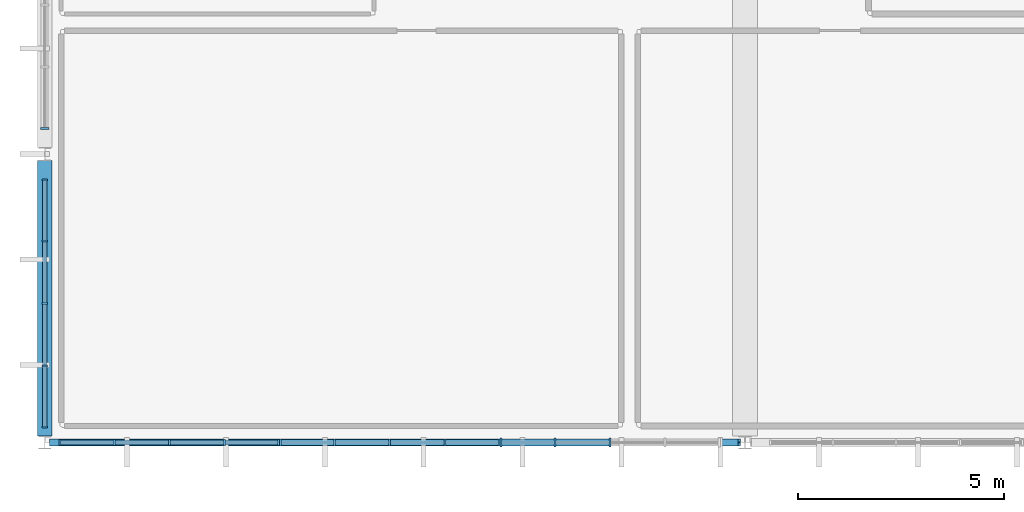
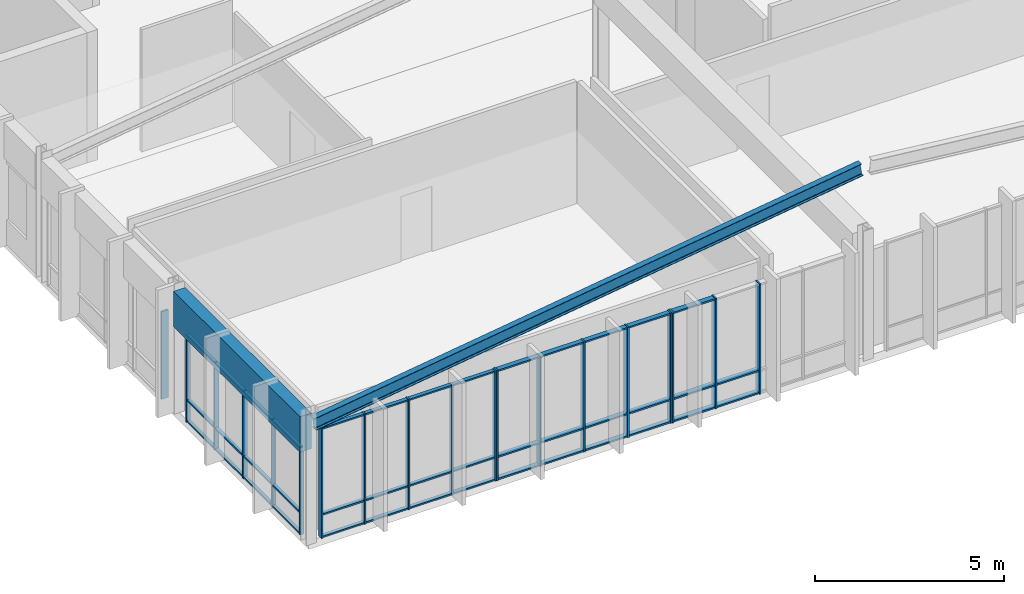
# One storey, part 4 of 16: 60 members, 2 beams, 5 elements without a shape of their own.
"""IFC4 building model written with IfcOpenShell, lengths in metres."""

from ifc_helpers import new_model, si_unit, direction, frame, origin, origin_2d, place, context, subcontext, project, spatial, rectangle, i_section, extrude, material, material_profile, profile_set, type_object, element, aggregate, save


model = new_model("IFC4")

# Units and contexts
model_context = context("Model", 3, precision=1e-05, world=origin(), true_north=direction((0.0, 1.0)))
body_context = subcontext(model_context, "Body", "Model", "MODEL_VIEW")
ifc_project = project(units=[si_unit("LENGTHUNIT", "METRE"), si_unit("AREAUNIT", "SQUARE_METRE"), si_unit("VOLUMEUNIT", "CUBIC_METRE"), si_unit("PLANEANGLEUNIT", "RADIAN"), si_unit("MASSUNIT", "GRAM", prefix="KILO")], contexts=[model_context])

# Site, building, storey
site_placement = place(None, origin())
site = spatial("IfcSite", under=ifc_project, at=site_placement, CompositionType="ELEMENT")
building_placement = place(site_placement, origin())
building = spatial("IfcBuilding", under=site, at=building_placement, Name="Larkveld Mobility Hub", CompositionType="ELEMENT")
storey_placement = place(building_placement, frame((0.0, 0.0, 22.800048828125)))
storey = spatial("IfcBuildingStorey", under=building, at=storey_placement, Name="L06", CompositionType="ELEMENT", Elevation=22.800048828125)

# Beams
ifc_material_1 = material(Name="Precast concrete C50/60", Category="concrete")
ifc_material_profile_1 = material_profile(ifc_material_1, rectangle(XDim=0.35009765625, YDim=1.14990234375, at=origin_2d()), Name="PC SP 350x1150")
ifc_profile_set_1 = profile_set([ifc_material_profile_1], Name="Precast concrete C50/60")
beam_type_1 = type_object("IfcBeamType", Name="BM-SP35115", PredefinedType="SPANDREL", material=ifc_profile_set_1)
beam_1_placement = place(storey_placement, frame((112.0, 28.159912109375, 3.405029296875), z_axis=(0.0, 1.0, 0.0), x_axis=(-1.0, 0.0, 0.0)))
element("IfcBeam", 1, at=beam_1_placement, inside=storey, type_object=beam_type_1, Name="Primary N-S Girder L06-0999", PredefinedType="SPANDREL", context=body_context, shape_type="SweptSolid", body=[
    extrude(rectangle(XDim=0.35009765625, YDim=1.14990234375, at=origin_2d()), origin(), (0.0, 0.0, 1.0), 6.68017578125),
])
ifc_material_2 = material(Name="Steel S355JR", Category="steel")
ifc_material_profile_2 = material_profile(ifc_material_2, i_section(OverallWidth=0.179931640625, OverallDepth=0.39990234375, WebThickness=0.008544921875, FlangeThickness=0.013427734375, FilletRadius=0.02099609375, at=origin_2d()), Name="IPE 400")
ifc_profile_set_2 = profile_set([ifc_material_profile_2], Name="Steel S355JR")
beam_type_2 = type_object("IfcBeamType", Name="BM-STIPE400", PredefinedType="BEAM", material=ifc_profile_set_2)
beam_2_placement = place(storey_placement, frame((112.139892578125, 28.0, 3.760009765625), z_axis=(0.990021643493, 0.0, 0.140915383885), x_axis=(0.0, 1.0, 0.0)))
element("IfcBeam", 2, at=beam_2_placement, inside=storey, type_object=beam_type_2, Name="Sports Pavilion West Rafter L06-1744", PredefinedType="BEAM", context=body_context, shape_type="SweptSolid", body=[
    extrude(i_section(OverallWidth=0.179931640625, OverallDepth=0.39990234375, WebThickness=0.008544921875, FlangeThickness=0.013427734375, FilletRadius=0.02099609375, at=origin_2d()), origin(), (0.0, 0.0, 1.0), 16.888671875),
])

# Curtain wall, members
ifc_material_3 = material(Name="Anodised aluminium 6063-T6", Category="aluminium")
curtain_wall_type_1 = type_object("IfcCurtainWallType", Name="CW-SYS-09", PredefinedType="NOTDEFINED", material=ifc_material_3)
curtain_wall_1_placement = place(storey_placement, origin())
curtain_wall_1 = element("IfcCurtainWall", 3, at=curtain_wall_1_placement, inside=storey, type_object=curtain_wall_type_1, Name="Sports Pavilion South Overlook Glazing CW-177", PredefinedType="NOTDEFINED")
ifc_material_profile_3 = material_profile(ifc_material_3, rectangle(XDim=0.050048828125, YDim=0.14990234375, at=origin_2d()), Name="ALU MULL 50x150")
ifc_profile_set_3 = profile_set([ifc_material_profile_3], Name="Anodised aluminium 6063-T6")
member_type_1 = type_object("IfcMemberType", Name="CW-MUL-01", PredefinedType="MULLION", material=ifc_profile_set_3)
member_1_placement = place(storey_placement, frame((112.375, 28.0, -0.001953125), z_axis=(0.0, 0.0, 1.0), x_axis=(1.0, 0.0, 0.0)))
member_1 = element("IfcMember", 4, at=member_1_placement, type_object=member_type_1, Name="CW09 mullion 1", PredefinedType="MULLION", context=body_context, shape_type="SweptSolid", body=[
    extrude(rectangle(XDim=0.050048828125, YDim=0.14990234375, at=origin_2d()), origin(), (0.0, 0.0, 1.0), 3.56201171875),
])
member_2_placement = place(storey_placement, frame((113.68798828125, 28.0, -0.001953125), z_axis=(0.0, 0.0, 1.0), x_axis=(1.0, 0.0, 0.0)))
member_2 = element("IfcMember", 5, at=member_2_placement, type_object=member_type_1, Name="CW09 mullion 2", PredefinedType="MULLION", context=body_context, shape_type="SweptSolid", body=[
    extrude(rectangle(XDim=0.050048828125, YDim=0.14990234375, at=origin_2d()), origin(), (0.0, 0.0, 1.0), 3.56201171875),
])
member_3_placement = place(storey_placement, frame((115.02490234375, 28.0, -0.001953125), z_axis=(0.0, 0.0, 1.0), x_axis=(1.0, 0.0, 0.0)))
member_3 = element("IfcMember", 6, at=member_3_placement, type_object=member_type_1, Name="CW09 mullion 3", PredefinedType="MULLION", context=body_context, shape_type="SweptSolid", body=[
    extrude(rectangle(XDim=0.050048828125, YDim=0.14990234375, at=origin_2d()), origin(), (0.0, 0.0, 1.0), 3.56201171875),
])
member_4_placement = place(storey_placement, frame((116.362060546875, 28.0, -0.001953125), z_axis=(0.0, 0.0, 1.0), x_axis=(1.0, 0.0, 0.0)))
member_4 = element("IfcMember", 7, at=member_4_placement, type_object=member_type_1, Name="CW09 mullion 4", PredefinedType="MULLION", context=body_context, shape_type="SweptSolid", body=[
    extrude(rectangle(XDim=0.050048828125, YDim=0.14990234375, at=origin_2d()), origin(), (0.0, 0.0, 1.0), 3.56201171875),
])
member_5_placement = place(storey_placement, frame((117.675048828125, 28.0, -0.001953125), z_axis=(0.0, 0.0, 1.0), x_axis=(1.0, 0.0, 0.0)))
member_5 = element("IfcMember", 8, at=member_5_placement, type_object=member_type_1, Name="CW09 mullion 5", PredefinedType="MULLION", context=body_context, shape_type="SweptSolid", body=[
    extrude(rectangle(XDim=0.050048828125, YDim=0.14990234375, at=origin_2d()), origin(), (0.0, 0.0, 1.0), 3.56201171875),
])

curtain_wall_type_2 = type_object("IfcCurtainWallType", Name="CW-SYS-10", PredefinedType="NOTDEFINED", material=ifc_material_3)
curtain_wall_2_placement = place(storey_placement, origin())
curtain_wall_2 = element("IfcCurtainWall", 9, at=curtain_wall_2_placement, inside=storey, type_object=curtain_wall_type_2, Name="Sports Pavilion South Overlook Glazing CW-178", PredefinedType="NOTDEFINED")
ifc_material_profile_4 = material_profile(ifc_material_3, rectangle(XDim=0.050048828125, YDim=0.179931640625, at=origin_2d()), Name="ALU MULL 50x180")
ifc_profile_set_4 = profile_set([ifc_material_profile_4], Name="Anodised aluminium 6063-T6")
member_type_2 = type_object("IfcMemberType", Name="CW-MUL-02", PredefinedType="MULLION", material=ifc_profile_set_4)
member_6_placement = place(storey_placement, frame((117.72509765625, 28.0, -0.001953125), z_axis=(0.0, 0.0, 1.0), x_axis=(1.0, 0.0, 0.0)))
member_6 = element("IfcMember", 10, at=member_6_placement, type_object=member_type_2, Name="CW10 mullion 1", PredefinedType="MULLION", context=body_context, shape_type="SweptSolid", body=[
    extrude(rectangle(XDim=0.050048828125, YDim=0.179931640625, at=origin_2d()), origin(), (0.0, 0.0, 1.0), 3.56201171875),
])
member_7_placement = place(storey_placement, frame((119.0380859375, 28.0, -0.001953125), z_axis=(0.0, 0.0, 1.0), x_axis=(1.0, 0.0, 0.0)))
member_7 = element("IfcMember", 11, at=member_7_placement, type_object=member_type_2, Name="CW10 mullion 2", PredefinedType="MULLION", context=body_context, shape_type="SweptSolid", body=[
    extrude(rectangle(XDim=0.050048828125, YDim=0.179931640625, at=origin_2d()), origin(), (0.0, 0.0, 1.0), 3.56201171875),
])
member_8_placement = place(storey_placement, frame((120.375, 28.0, -0.001953125), z_axis=(0.0, 0.0, 1.0), x_axis=(1.0, 0.0, 0.0)))
member_8 = element("IfcMember", 12, at=member_8_placement, type_object=member_type_2, Name="CW10 mullion 3", PredefinedType="MULLION", context=body_context, shape_type="SweptSolid", body=[
    extrude(rectangle(XDim=0.050048828125, YDim=0.179931640625, at=origin_2d()), origin(), (0.0, 0.0, 1.0), 3.56201171875),
])
member_9_placement = place(storey_placement, frame((121.712890625, 28.0, -0.001953125), z_axis=(0.0, 0.0, 1.0), x_axis=(1.0, 0.0, 0.0)))
member_9 = element("IfcMember", 13, at=member_9_placement, type_object=member_type_2, Name="CW10 mullion 4", PredefinedType="MULLION", context=body_context, shape_type="SweptSolid", body=[
    extrude(rectangle(XDim=0.050048828125, YDim=0.179931640625, at=origin_2d()), origin(), (0.0, 0.0, 1.0), 3.56201171875),
])
member_10_placement = place(storey_placement, frame((123.02490234375, 28.0, -0.001953125), z_axis=(0.0, 0.0, 1.0), x_axis=(1.0, 0.0, 0.0)))
member_10 = element("IfcMember", 14, at=member_10_placement, type_object=member_type_2, Name="CW10 mullion 5", PredefinedType="MULLION", context=body_context, shape_type="SweptSolid", body=[
    extrude(rectangle(XDim=0.050048828125, YDim=0.179931640625, at=origin_2d()), origin(), (0.0, 0.0, 1.0), 3.56201171875),
])

# Curtain wall, member
curtain_wall_type_3 = type_object("IfcCurtainWallType", Name="CW-SYS-03", PredefinedType="NOTDEFINED", material=ifc_material_3)
curtain_wall_3_placement = place(storey_placement, origin())
curtain_wall_3 = element("IfcCurtainWall", 15, at=curtain_wall_3_placement, inside=storey, type_object=curtain_wall_type_3, Name="EV Wing West Glazing L06 CW-171", PredefinedType="NOTDEFINED")
ifc_material_profile_5 = material_profile(ifc_material_3, rectangle(XDim=0.050048828125, YDim=0.2099609375, at=origin_2d()), Name="ALU MULL 50x210")
ifc_profile_set_5 = profile_set([ifc_material_profile_5], Name="Anodised aluminium 6063-T6")
member_type_3 = type_object("IfcMemberType", Name="CW-MUL-03", PredefinedType="MULLION", material=ifc_profile_set_5)
member_11_placement = place(storey_placement, frame((112.0, 35.625, -0.001953125), z_axis=(0.0, 0.0, 1.0), x_axis=(0.0, -1.0, 0.0)))
member_11 = element("IfcMember", 16, at=member_11_placement, type_object=member_type_3, Name="CW03 mullion 5", PredefinedType="MULLION", context=body_context, shape_type="SweptSolid", body=[
    extrude(rectangle(XDim=0.050048828125, YDim=0.2099609375, at=origin_2d()), origin(), (0.0, 0.0, 1.0), 2.831787109375),
])
aggregate(curtain_wall_3, [member_11])

# Curtain wall, members
curtain_wall_type_4 = type_object("IfcCurtainWallType", Name="CW-SYS-11", PredefinedType="NOTDEFINED", material=ifc_material_3)
curtain_wall_4_placement = place(storey_placement, origin())
curtain_wall_4 = element("IfcCurtainWall", 17, at=curtain_wall_4_placement, inside=storey, type_object=curtain_wall_type_4, Name="Sports Pavilion South Overlook Glazing CW-179", PredefinedType="NOTDEFINED")
member_12_placement = place(storey_placement, frame((123.074951171875, 28.0, -0.001953125), z_axis=(0.0, 0.0, 1.0), x_axis=(1.0, 0.0, 0.0)))
member_12 = element("IfcMember", 18, at=member_12_placement, type_object=member_type_3, Name="CW11 mullion 1", PredefinedType="MULLION", context=body_context, shape_type="SweptSolid", body=[
    extrude(rectangle(XDim=0.050048828125, YDim=0.2099609375, at=origin_2d()), origin(), (0.0, 0.0, 1.0), 3.56201171875),
])
member_13_placement = place(storey_placement, frame((124.387939453125, 28.0, -0.001953125), z_axis=(0.0, 0.0, 1.0), x_axis=(1.0, 0.0, 0.0)))
member_13 = element("IfcMember", 19, at=member_13_placement, type_object=member_type_3, Name="CW11 mullion 2", PredefinedType="MULLION", context=body_context, shape_type="SweptSolid", body=[
    extrude(rectangle(XDim=0.050048828125, YDim=0.2099609375, at=origin_2d()), origin(), (0.0, 0.0, 1.0), 3.56201171875),
])
member_14_placement = place(storey_placement, frame((125.72509765625, 28.0, -0.001953125), z_axis=(0.0, 0.0, 1.0), x_axis=(1.0, 0.0, 0.0)))
member_14 = element("IfcMember", 20, at=member_14_placement, type_object=member_type_3, Name="CW11 mullion 3", PredefinedType="MULLION", context=body_context, shape_type="SweptSolid", body=[
    extrude(rectangle(XDim=0.050048828125, YDim=0.2099609375, at=origin_2d()), origin(), (0.0, 0.0, 1.0), 3.56201171875),
])

curtain_wall_type_5 = type_object("IfcCurtainWallType", Name="CW-SYS-04", PredefinedType="NOTDEFINED", material=ifc_material_3)
curtain_wall_5_placement = place(storey_placement, origin())
curtain_wall_5 = element("IfcCurtainWall", 21, at=curtain_wall_5_placement, inside=storey, type_object=curtain_wall_type_5, Name="EV Wing West Glazing L06 CW-172", PredefinedType="NOTDEFINED")
ifc_material_profile_6 = material_profile(ifc_material_3, rectangle(XDim=0.050048828125, YDim=0.1298828125, at=origin_2d()), Name="ALU MULL 50x130")
ifc_profile_set_6 = profile_set([ifc_material_profile_6], Name="Anodised aluminium 6063-T6")
member_type_4 = type_object("IfcMemberType", Name="CW-MUL-04", PredefinedType="MULLION", material=ifc_profile_set_6)
member_15_placement = place(storey_placement, frame((112.0, 34.375, -0.001953125), z_axis=(0.0, 0.0, 1.0), x_axis=(0.0, -1.0, 0.0)))
member_15 = element("IfcMember", 22, at=member_15_placement, type_object=member_type_4, Name="CW04 mullion 1", PredefinedType="MULLION", context=body_context, shape_type="SweptSolid", body=[
    extrude(rectangle(XDim=0.050048828125, YDim=0.1298828125, at=origin_2d()), origin(), (0.0, 0.0, 1.0), 2.831787109375),
])
member_16_placement = place(storey_placement, frame((112.0, 32.886962890625, -0.001953125), z_axis=(0.0, 0.0, 1.0), x_axis=(0.0, -1.0, 0.0)))
member_16 = element("IfcMember", 23, at=member_16_placement, type_object=member_type_4, Name="CW04 mullion 2", PredefinedType="MULLION", context=body_context, shape_type="SweptSolid", body=[
    extrude(rectangle(XDim=0.050048828125, YDim=0.1298828125, at=origin_2d()), origin(), (0.0, 0.0, 1.0), 2.831787109375),
])
member_17_placement = place(storey_placement, frame((112.0, 31.375, -0.001953125), z_axis=(0.0, 0.0, 1.0), x_axis=(0.0, -1.0, 0.0)))
member_17 = element("IfcMember", 24, at=member_17_placement, type_object=member_type_4, Name="CW04 mullion 3", PredefinedType="MULLION", context=body_context, shape_type="SweptSolid", body=[
    extrude(rectangle(XDim=0.050048828125, YDim=0.1298828125, at=origin_2d()), origin(), (0.0, 0.0, 1.0), 2.831787109375),
])
member_18_placement = place(storey_placement, frame((112.0, 29.862060546875, -0.001953125), z_axis=(0.0, 0.0, 1.0), x_axis=(0.0, -1.0, 0.0)))
member_18 = element("IfcMember", 25, at=member_18_placement, type_object=member_type_4, Name="CW04 mullion 4", PredefinedType="MULLION", context=body_context, shape_type="SweptSolid", body=[
    extrude(rectangle(XDim=0.050048828125, YDim=0.1298828125, at=origin_2d()), origin(), (0.0, 0.0, 1.0), 2.831787109375),
])
member_19_placement = place(storey_placement, frame((112.0, 28.375, -0.001953125), z_axis=(0.0, 0.0, 1.0), x_axis=(0.0, -1.0, 0.0)))
member_19 = element("IfcMember", 26, at=member_19_placement, type_object=member_type_4, Name="CW04 mullion 5", PredefinedType="MULLION", context=body_context, shape_type="SweptSolid", body=[
    extrude(rectangle(XDim=0.050048828125, YDim=0.1298828125, at=origin_2d()), origin(), (0.0, 0.0, 1.0), 2.831787109375),
])

# Member
ifc_material_profile_7 = material_profile(ifc_material_3, rectangle(XDim=0.1201171875, YDim=0.050048828125, at=origin_2d()), Name="ALU TRAN 50x120")
ifc_profile_set_7 = profile_set([ifc_material_profile_7], Name="Anodised aluminium 6063-T6")
member_type_5 = type_object("IfcMemberType", Name="CW-TRN-01", PredefinedType="USERDEFINED", material=ifc_profile_set_7)
member_20_placement = place(storey_placement, frame((112.385009765625, 28.0, 0.030029296875), z_axis=(1.0, 0.0, 0.0), x_axis=(0.0, 1.0, 0.0)))
member_20 = element("IfcMember", 27, at=member_20_placement, type_object=member_type_5, Name="CW09 transom 1.1", ObjectType="TRANSOM", PredefinedType="USERDEFINED", context=body_context, shape_type="SweptSolid", body=[
    extrude(rectangle(XDim=0.1201171875, YDim=0.050048828125, at=origin_2d()), origin(), (0.0, 0.0, 1.0), 1.287109375),
])

member_21_placement = place(storey_placement, frame((112.385009765625, 28.0, 0.75), z_axis=(1.0, 0.0, 0.0), x_axis=(0.0, 1.0, 0.0)))
member_21 = element("IfcMember", 28, at=member_21_placement, type_object=member_type_5, Name="CW09 transom 1.2", ObjectType="TRANSOM", PredefinedType="USERDEFINED", context=body_context, shape_type="SweptSolid", body=[
    extrude(rectangle(XDim=0.1201171875, YDim=0.050048828125, at=origin_2d()), origin(), (0.0, 0.0, 1.0), 1.287109375),
])

member_22_placement = place(storey_placement, frame((112.385009765625, 28.0, 3.52783203125), z_axis=(1.0, 0.0, 0.0), x_axis=(0.0, 1.0, 0.0)))
member_22 = element("IfcMember", 29, at=member_22_placement, type_object=member_type_5, Name="CW09 transom 1.3", ObjectType="TRANSOM", PredefinedType="USERDEFINED", context=body_context, shape_type="SweptSolid", body=[
    extrude(rectangle(XDim=0.1201171875, YDim=0.050048828125, at=origin_2d()), origin(), (0.0, 0.0, 1.0), 1.287109375),
])

member_23_placement = place(storey_placement, frame((113.702880859375, 28.0, 0.030029296875), z_axis=(1.0, 0.0, 0.0), x_axis=(0.0, 1.0, 0.0)))
member_23 = element("IfcMember", 30, at=member_23_placement, type_object=member_type_5, Name="CW09 transom 2.1", ObjectType="TRANSOM", PredefinedType="USERDEFINED", context=body_context, shape_type="SweptSolid", body=[
    extrude(rectangle(XDim=0.1201171875, YDim=0.050048828125, at=origin_2d()), origin(), (0.0, 0.0, 1.0), 1.30712890625),
])

member_24_placement = place(storey_placement, frame((113.702880859375, 28.0, 0.75), z_axis=(1.0, 0.0, 0.0), x_axis=(0.0, 1.0, 0.0)))
member_24 = element("IfcMember", 31, at=member_24_placement, type_object=member_type_5, Name="CW09 transom 2.2", ObjectType="TRANSOM", PredefinedType="USERDEFINED", context=body_context, shape_type="SweptSolid", body=[
    extrude(rectangle(XDim=0.1201171875, YDim=0.050048828125, at=origin_2d()), origin(), (0.0, 0.0, 1.0), 1.30712890625),
])

member_25_placement = place(storey_placement, frame((113.702880859375, 28.0, 3.52783203125), z_axis=(1.0, 0.0, 0.0), x_axis=(0.0, 1.0, 0.0)))
member_25 = element("IfcMember", 32, at=member_25_placement, type_object=member_type_5, Name="CW09 transom 2.3", ObjectType="TRANSOM", PredefinedType="USERDEFINED", context=body_context, shape_type="SweptSolid", body=[
    extrude(rectangle(XDim=0.1201171875, YDim=0.050048828125, at=origin_2d()), origin(), (0.0, 0.0, 1.0), 1.30712890625),
])

member_26_placement = place(storey_placement, frame((115.0400390625, 28.0, 0.030029296875), z_axis=(1.0, 0.0, 0.0), x_axis=(0.0, 1.0, 0.0)))
member_26 = element("IfcMember", 33, at=member_26_placement, type_object=member_type_5, Name="CW09 transom 3.1", ObjectType="TRANSOM", PredefinedType="USERDEFINED", context=body_context, shape_type="SweptSolid", body=[
    extrude(rectangle(XDim=0.1201171875, YDim=0.050048828125, at=origin_2d()), origin(), (0.0, 0.0, 1.0), 1.306884765625),
])

member_27_placement = place(storey_placement, frame((115.0400390625, 28.0, 0.75), z_axis=(1.0, 0.0, 0.0), x_axis=(0.0, 1.0, 0.0)))
member_27 = element("IfcMember", 34, at=member_27_placement, type_object=member_type_5, Name="CW09 transom 3.2", ObjectType="TRANSOM", PredefinedType="USERDEFINED", context=body_context, shape_type="SweptSolid", body=[
    extrude(rectangle(XDim=0.1201171875, YDim=0.050048828125, at=origin_2d()), origin(), (0.0, 0.0, 1.0), 1.306884765625),
])

member_28_placement = place(storey_placement, frame((115.0400390625, 28.0, 3.52783203125), z_axis=(1.0, 0.0, 0.0), x_axis=(0.0, 1.0, 0.0)))
member_28 = element("IfcMember", 35, at=member_28_placement, type_object=member_type_5, Name="CW09 transom 3.3", ObjectType="TRANSOM", PredefinedType="USERDEFINED", context=body_context, shape_type="SweptSolid", body=[
    extrude(rectangle(XDim=0.1201171875, YDim=0.050048828125, at=origin_2d()), origin(), (0.0, 0.0, 1.0), 1.306884765625),
])

member_29_placement = place(storey_placement, frame((116.376953125, 28.0, 0.030029296875), z_axis=(1.0, 0.0, 0.0), x_axis=(0.0, 1.0, 0.0)))
member_29 = element("IfcMember", 36, at=member_29_placement, type_object=member_type_5, Name="CW09 transom 4.1", ObjectType="TRANSOM", PredefinedType="USERDEFINED", context=body_context, shape_type="SweptSolid", body=[
    extrude(rectangle(XDim=0.1201171875, YDim=0.050048828125, at=origin_2d()), origin(), (0.0, 0.0, 1.0), 1.2880859375),
])

member_30_placement = place(storey_placement, frame((116.376953125, 28.0, 0.75), z_axis=(1.0, 0.0, 0.0), x_axis=(0.0, 1.0, 0.0)))
member_30 = element("IfcMember", 37, at=member_30_placement, type_object=member_type_5, Name="CW09 transom 4.2", ObjectType="TRANSOM", PredefinedType="USERDEFINED", context=body_context, shape_type="SweptSolid", body=[
    extrude(rectangle(XDim=0.1201171875, YDim=0.050048828125, at=origin_2d()), origin(), (0.0, 0.0, 1.0), 1.2880859375),
])

member_31_placement = place(storey_placement, frame((116.376953125, 28.0, 3.52783203125), z_axis=(1.0, 0.0, 0.0), x_axis=(0.0, 1.0, 0.0)))
member_31 = element("IfcMember", 38, at=member_31_placement, type_object=member_type_5, Name="CW09 transom 4.3", ObjectType="TRANSOM", PredefinedType="USERDEFINED", context=body_context, shape_type="SweptSolid", body=[
    extrude(rectangle(XDim=0.1201171875, YDim=0.050048828125, at=origin_2d()), origin(), (0.0, 0.0, 1.0), 1.2880859375),
])

aggregate(curtain_wall_1, [member_1, member_2, member_3, member_4, member_5, member_20, member_21, member_22, member_23, member_24, member_25, member_26, member_27, member_28, member_29, member_30, member_31])

ifc_material_profile_8 = material_profile(ifc_material_3, rectangle(XDim=0.14990234375, YDim=0.050048828125, at=origin_2d()), Name="ALU TRAN 50x150")
ifc_profile_set_8 = profile_set([ifc_material_profile_8], Name="Anodised aluminium 6063-T6")
member_type_6 = type_object("IfcMemberType", Name="CW-TRN-02", PredefinedType="USERDEFINED", material=ifc_profile_set_8)
member_32_placement = place(storey_placement, frame((117.735107421875, 28.0, 0.030029296875), z_axis=(1.0, 0.0, 0.0), x_axis=(0.0, 1.0, 0.0)))
member_32 = element("IfcMember", 39, at=member_32_placement, type_object=member_type_6, Name="CW10 transom 1.1", ObjectType="TRANSOM", PredefinedType="USERDEFINED", context=body_context, shape_type="SweptSolid", body=[
    extrude(rectangle(XDim=0.14990234375, YDim=0.050048828125, at=origin_2d()), origin(), (0.0, 0.0, 1.0), 1.287841796875),
])

member_33_placement = place(storey_placement, frame((117.735107421875, 28.0, 0.75), z_axis=(1.0, 0.0, 0.0), x_axis=(0.0, 1.0, 0.0)))
member_33 = element("IfcMember", 40, at=member_33_placement, type_object=member_type_6, Name="CW10 transom 1.2", ObjectType="TRANSOM", PredefinedType="USERDEFINED", context=body_context, shape_type="SweptSolid", body=[
    extrude(rectangle(XDim=0.14990234375, YDim=0.050048828125, at=origin_2d()), origin(), (0.0, 0.0, 1.0), 1.287841796875),
])

member_34_placement = place(storey_placement, frame((117.735107421875, 28.0, 3.52783203125), z_axis=(1.0, 0.0, 0.0), x_axis=(0.0, 1.0, 0.0)))
member_34 = element("IfcMember", 41, at=member_34_placement, type_object=member_type_6, Name="CW10 transom 1.3", ObjectType="TRANSOM", PredefinedType="USERDEFINED", context=body_context, shape_type="SweptSolid", body=[
    extrude(rectangle(XDim=0.14990234375, YDim=0.050048828125, at=origin_2d()), origin(), (0.0, 0.0, 1.0), 1.287841796875),
])

member_35_placement = place(storey_placement, frame((119.052978515625, 28.0, 0.030029296875), z_axis=(1.0, 0.0, 0.0), x_axis=(0.0, 1.0, 0.0)))
member_35 = element("IfcMember", 42, at=member_35_placement, type_object=member_type_6, Name="CW10 transom 2.1", ObjectType="TRANSOM", PredefinedType="USERDEFINED", context=body_context, shape_type="SweptSolid", body=[
    extrude(rectangle(XDim=0.14990234375, YDim=0.050048828125, at=origin_2d()), origin(), (0.0, 0.0, 1.0), 1.30712890625),
])

member_36_placement = place(storey_placement, frame((119.052978515625, 28.0, 0.75), z_axis=(1.0, 0.0, 0.0), x_axis=(0.0, 1.0, 0.0)))
member_36 = element("IfcMember", 43, at=member_36_placement, type_object=member_type_6, Name="CW10 transom 2.2", ObjectType="TRANSOM", PredefinedType="USERDEFINED", context=body_context, shape_type="SweptSolid", body=[
    extrude(rectangle(XDim=0.14990234375, YDim=0.050048828125, at=origin_2d()), origin(), (0.0, 0.0, 1.0), 1.30712890625),
])

member_37_placement = place(storey_placement, frame((119.052978515625, 28.0, 3.52783203125), z_axis=(1.0, 0.0, 0.0), x_axis=(0.0, 1.0, 0.0)))
member_37 = element("IfcMember", 44, at=member_37_placement, type_object=member_type_6, Name="CW10 transom 2.3", ObjectType="TRANSOM", PredefinedType="USERDEFINED", context=body_context, shape_type="SweptSolid", body=[
    extrude(rectangle(XDim=0.14990234375, YDim=0.050048828125, at=origin_2d()), origin(), (0.0, 0.0, 1.0), 1.30712890625),
])

member_38_placement = place(storey_placement, frame((120.389892578125, 28.0, 0.030029296875), z_axis=(1.0, 0.0, 0.0), x_axis=(0.0, 1.0, 0.0)))
member_38 = element("IfcMember", 45, at=member_38_placement, type_object=member_type_6, Name="CW10 transom 3.1", ObjectType="TRANSOM", PredefinedType="USERDEFINED", context=body_context, shape_type="SweptSolid", body=[
    extrude(rectangle(XDim=0.14990234375, YDim=0.050048828125, at=origin_2d()), origin(), (0.0, 0.0, 1.0), 1.30810546875),
])

member_39_placement = place(storey_placement, frame((120.389892578125, 28.0, 0.75), z_axis=(1.0, 0.0, 0.0), x_axis=(0.0, 1.0, 0.0)))
member_39 = element("IfcMember", 46, at=member_39_placement, type_object=member_type_6, Name="CW10 transom 3.2", ObjectType="TRANSOM", PredefinedType="USERDEFINED", context=body_context, shape_type="SweptSolid", body=[
    extrude(rectangle(XDim=0.14990234375, YDim=0.050048828125, at=origin_2d()), origin(), (0.0, 0.0, 1.0), 1.30810546875),
])

member_40_placement = place(storey_placement, frame((120.389892578125, 28.0, 3.52783203125), z_axis=(1.0, 0.0, 0.0), x_axis=(0.0, 1.0, 0.0)))
member_40 = element("IfcMember", 47, at=member_40_placement, type_object=member_type_6, Name="CW10 transom 3.3", ObjectType="TRANSOM", PredefinedType="USERDEFINED", context=body_context, shape_type="SweptSolid", body=[
    extrude(rectangle(XDim=0.14990234375, YDim=0.050048828125, at=origin_2d()), origin(), (0.0, 0.0, 1.0), 1.30810546875),
])

member_41_placement = place(storey_placement, frame((121.72802734375, 28.0, 0.030029296875), z_axis=(1.0, 0.0, 0.0), x_axis=(0.0, 1.0, 0.0)))
member_41 = element("IfcMember", 48, at=member_41_placement, type_object=member_type_6, Name="CW10 transom 4.1", ObjectType="TRANSOM", PredefinedType="USERDEFINED", context=body_context, shape_type="SweptSolid", body=[
    extrude(rectangle(XDim=0.14990234375, YDim=0.050048828125, at=origin_2d()), origin(), (0.0, 0.0, 1.0), 1.286865234375),
])

member_42_placement = place(storey_placement, frame((121.72802734375, 28.0, 0.75), z_axis=(1.0, 0.0, 0.0), x_axis=(0.0, 1.0, 0.0)))
member_42 = element("IfcMember", 49, at=member_42_placement, type_object=member_type_6, Name="CW10 transom 4.2", ObjectType="TRANSOM", PredefinedType="USERDEFINED", context=body_context, shape_type="SweptSolid", body=[
    extrude(rectangle(XDim=0.14990234375, YDim=0.050048828125, at=origin_2d()), origin(), (0.0, 0.0, 1.0), 1.286865234375),
])

member_43_placement = place(storey_placement, frame((121.72802734375, 28.0, 3.52783203125), z_axis=(1.0, 0.0, 0.0), x_axis=(0.0, 1.0, 0.0)))
member_43 = element("IfcMember", 50, at=member_43_placement, type_object=member_type_6, Name="CW10 transom 4.3", ObjectType="TRANSOM", PredefinedType="USERDEFINED", context=body_context, shape_type="SweptSolid", body=[
    extrude(rectangle(XDim=0.14990234375, YDim=0.050048828125, at=origin_2d()), origin(), (0.0, 0.0, 1.0), 1.286865234375),
])

aggregate(curtain_wall_2, [member_6, member_7, member_8, member_9, member_10, member_32, member_33, member_34, member_35, member_36, member_37, member_38, member_39, member_40, member_41, member_42, member_43])

ifc_material_profile_9 = material_profile(ifc_material_3, rectangle(XDim=0.169921875, YDim=0.050048828125, at=origin_2d()), Name="ALU TRAN 50x170")
ifc_profile_set_9 = profile_set([ifc_material_profile_9], Name="Anodised aluminium 6063-T6")
member_type_7 = type_object("IfcMemberType", Name="CW-TRN-03", PredefinedType="USERDEFINED", material=ifc_profile_set_9)
member_44_placement = place(storey_placement, frame((123.0849609375, 28.0, 0.030029296875), z_axis=(1.0, 0.0, 0.0), x_axis=(0.0, 1.0, 0.0)))
member_44 = element("IfcMember", 51, at=member_44_placement, type_object=member_type_7, Name="CW11 transom 1.1", ObjectType="TRANSOM", PredefinedType="USERDEFINED", context=body_context, shape_type="SweptSolid", body=[
    extrude(rectangle(XDim=0.169921875, YDim=0.050048828125, at=origin_2d()), origin(), (0.0, 0.0, 1.0), 1.2880859375),
])

member_45_placement = place(storey_placement, frame((123.0849609375, 28.0, 0.75), z_axis=(1.0, 0.0, 0.0), x_axis=(0.0, 1.0, 0.0)))
member_45 = element("IfcMember", 52, at=member_45_placement, type_object=member_type_7, Name="CW11 transom 1.2", ObjectType="TRANSOM", PredefinedType="USERDEFINED", context=body_context, shape_type="SweptSolid", body=[
    extrude(rectangle(XDim=0.169921875, YDim=0.050048828125, at=origin_2d()), origin(), (0.0, 0.0, 1.0), 1.2880859375),
])

member_46_placement = place(storey_placement, frame((123.0849609375, 28.0, 3.52783203125), z_axis=(1.0, 0.0, 0.0), x_axis=(0.0, 1.0, 0.0)))
member_46 = element("IfcMember", 53, at=member_46_placement, type_object=member_type_7, Name="CW11 transom 1.3", ObjectType="TRANSOM", PredefinedType="USERDEFINED", context=body_context, shape_type="SweptSolid", body=[
    extrude(rectangle(XDim=0.169921875, YDim=0.050048828125, at=origin_2d()), origin(), (0.0, 0.0, 1.0), 1.2880859375),
])

member_47_placement = place(storey_placement, frame((124.403076171875, 28.0, 0.030029296875), z_axis=(1.0, 0.0, 0.0), x_axis=(0.0, 1.0, 0.0)))
member_47 = element("IfcMember", 54, at=member_47_placement, type_object=member_type_7, Name="CW11 transom 2.1", ObjectType="TRANSOM", PredefinedType="USERDEFINED", context=body_context, shape_type="SweptSolid", body=[
    extrude(rectangle(XDim=0.169921875, YDim=0.050048828125, at=origin_2d()), origin(), (0.0, 0.0, 1.0), 1.306884765625),
])

member_48_placement = place(storey_placement, frame((124.403076171875, 28.0, 0.75), z_axis=(1.0, 0.0, 0.0), x_axis=(0.0, 1.0, 0.0)))
member_48 = element("IfcMember", 55, at=member_48_placement, type_object=member_type_7, Name="CW11 transom 2.2", ObjectType="TRANSOM", PredefinedType="USERDEFINED", context=body_context, shape_type="SweptSolid", body=[
    extrude(rectangle(XDim=0.169921875, YDim=0.050048828125, at=origin_2d()), origin(), (0.0, 0.0, 1.0), 1.306884765625),
])

aggregate(curtain_wall_4, [member_12, member_13, member_14, member_44, member_45, member_46, member_47, member_48])

ifc_material_profile_10 = material_profile(ifc_material_3, rectangle(XDim=0.10009765625, YDim=0.050048828125, at=origin_2d()), Name="ALU TRAN 50x100")
ifc_profile_set_10 = profile_set([ifc_material_profile_10], Name="Anodised aluminium 6063-T6")
member_type_8 = type_object("IfcMemberType", Name="CW-TRN-04", PredefinedType="USERDEFINED", material=ifc_profile_set_10)
member_49_placement = place(storey_placement, frame((112.0, 34.364990234375, 0.030029296875), z_axis=(0.0, -1.0, 0.0), x_axis=(1.0, 0.0, 0.0)))
member_49 = element("IfcMember", 56, at=member_49_placement, type_object=member_type_8, Name="CW04 transom 1.1", ObjectType="TRANSOM", PredefinedType="USERDEFINED", context=body_context, shape_type="SweptSolid", body=[
    extrude(rectangle(XDim=0.10009765625, YDim=0.050048828125, at=origin_2d()), origin(), (0.0, 0.0, 1.0), 1.462890625),
])

member_50_placement = place(storey_placement, frame((112.0, 34.364990234375, 0.70703125), z_axis=(0.0, -1.0, 0.0), x_axis=(1.0, 0.0, 0.0)))
member_50 = element("IfcMember", 57, at=member_50_placement, type_object=member_type_8, Name="CW04 transom 1.2", ObjectType="TRANSOM", PredefinedType="USERDEFINED", context=body_context, shape_type="SweptSolid", body=[
    extrude(rectangle(XDim=0.10009765625, YDim=0.050048828125, at=origin_2d()), origin(), (0.0, 0.0, 1.0), 1.462890625),
])

member_51_placement = place(storey_placement, frame((112.0, 34.364990234375, 2.7978515625), z_axis=(0.0, -1.0, 0.0), x_axis=(1.0, 0.0, 0.0)))
member_51 = element("IfcMember", 58, at=member_51_placement, type_object=member_type_8, Name="CW04 transom 1.3", ObjectType="TRANSOM", PredefinedType="USERDEFINED", context=body_context, shape_type="SweptSolid", body=[
    extrude(rectangle(XDim=0.10009765625, YDim=0.050048828125, at=origin_2d()), origin(), (0.0, 0.0, 1.0), 1.462890625),
])

member_52_placement = place(storey_placement, frame((112.0, 32.8720703125, 0.030029296875), z_axis=(0.0, -1.0, 0.0), x_axis=(1.0, 0.0, 0.0)))
member_52 = element("IfcMember", 59, at=member_52_placement, type_object=member_type_8, Name="CW04 transom 2.1", ObjectType="TRANSOM", PredefinedType="USERDEFINED", context=body_context, shape_type="SweptSolid", body=[
    extrude(rectangle(XDim=0.10009765625, YDim=0.050048828125, at=origin_2d()), origin(), (0.0, 0.0, 1.0), 1.482177734375),
])

member_53_placement = place(storey_placement, frame((112.0, 32.8720703125, 0.70703125), z_axis=(0.0, -1.0, 0.0), x_axis=(1.0, 0.0, 0.0)))
member_53 = element("IfcMember", 60, at=member_53_placement, type_object=member_type_8, Name="CW04 transom 2.2", ObjectType="TRANSOM", PredefinedType="USERDEFINED", context=body_context, shape_type="SweptSolid", body=[
    extrude(rectangle(XDim=0.10009765625, YDim=0.050048828125, at=origin_2d()), origin(), (0.0, 0.0, 1.0), 1.482177734375),
])

member_54_placement = place(storey_placement, frame((112.0, 32.8720703125, 2.7978515625), z_axis=(0.0, -1.0, 0.0), x_axis=(1.0, 0.0, 0.0)))
member_54 = element("IfcMember", 61, at=member_54_placement, type_object=member_type_8, Name="CW04 transom 2.3", ObjectType="TRANSOM", PredefinedType="USERDEFINED", context=body_context, shape_type="SweptSolid", body=[
    extrude(rectangle(XDim=0.10009765625, YDim=0.050048828125, at=origin_2d()), origin(), (0.0, 0.0, 1.0), 1.482177734375),
])

member_55_placement = place(storey_placement, frame((112.0, 31.360107421875, 0.030029296875), z_axis=(0.0, -1.0, 0.0), x_axis=(1.0, 0.0, 0.0)))
member_55 = element("IfcMember", 62, at=member_55_placement, type_object=member_type_8, Name="CW04 transom 3.1", ObjectType="TRANSOM", PredefinedType="USERDEFINED", context=body_context, shape_type="SweptSolid", body=[
    extrude(rectangle(XDim=0.10009765625, YDim=0.050048828125, at=origin_2d()), origin(), (0.0, 0.0, 1.0), 1.483154296875),
])

member_56_placement = place(storey_placement, frame((112.0, 31.360107421875, 0.70703125), z_axis=(0.0, -1.0, 0.0), x_axis=(1.0, 0.0, 0.0)))
member_56 = element("IfcMember", 63, at=member_56_placement, type_object=member_type_8, Name="CW04 transom 3.2", ObjectType="TRANSOM", PredefinedType="USERDEFINED", context=body_context, shape_type="SweptSolid", body=[
    extrude(rectangle(XDim=0.10009765625, YDim=0.050048828125, at=origin_2d()), origin(), (0.0, 0.0, 1.0), 1.483154296875),
])

member_57_placement = place(storey_placement, frame((112.0, 31.360107421875, 2.7978515625), z_axis=(0.0, -1.0, 0.0), x_axis=(1.0, 0.0, 0.0)))
member_57 = element("IfcMember", 64, at=member_57_placement, type_object=member_type_8, Name="CW04 transom 3.3", ObjectType="TRANSOM", PredefinedType="USERDEFINED", context=body_context, shape_type="SweptSolid", body=[
    extrude(rectangle(XDim=0.10009765625, YDim=0.050048828125, at=origin_2d()), origin(), (0.0, 0.0, 1.0), 1.483154296875),
])

member_58_placement = place(storey_placement, frame((112.0, 29.846923828125, 0.030029296875), z_axis=(0.0, -1.0, 0.0), x_axis=(1.0, 0.0, 0.0)))
member_58 = element("IfcMember", 65, at=member_58_placement, type_object=member_type_8, Name="CW04 transom 4.1", ObjectType="TRANSOM", PredefinedType="USERDEFINED", context=body_context, shape_type="SweptSolid", body=[
    extrude(rectangle(XDim=0.10009765625, YDim=0.050048828125, at=origin_2d()), origin(), (0.0, 0.0, 1.0), 1.4619140625),
])

member_59_placement = place(storey_placement, frame((112.0, 29.846923828125, 0.70703125), z_axis=(0.0, -1.0, 0.0), x_axis=(1.0, 0.0, 0.0)))
member_59 = element("IfcMember", 66, at=member_59_placement, type_object=member_type_8, Name="CW04 transom 4.2", ObjectType="TRANSOM", PredefinedType="USERDEFINED", context=body_context, shape_type="SweptSolid", body=[
    extrude(rectangle(XDim=0.10009765625, YDim=0.050048828125, at=origin_2d()), origin(), (0.0, 0.0, 1.0), 1.4619140625),
])

member_60_placement = place(storey_placement, frame((112.0, 29.846923828125, 2.7978515625), z_axis=(0.0, -1.0, 0.0), x_axis=(1.0, 0.0, 0.0)))
member_60 = element("IfcMember", 67, at=member_60_placement, type_object=member_type_8, Name="CW04 transom 4.3", ObjectType="TRANSOM", PredefinedType="USERDEFINED", context=body_context, shape_type="SweptSolid", body=[
    extrude(rectangle(XDim=0.10009765625, YDim=0.050048828125, at=origin_2d()), origin(), (0.0, 0.0, 1.0), 1.4619140625),
])

aggregate(curtain_wall_5, [member_15, member_16, member_17, member_18, member_19, member_49, member_50, member_51, member_52, member_53, member_54, member_55, member_56, member_57, member_58, member_59, member_60])

save(model, "model.ifc")
